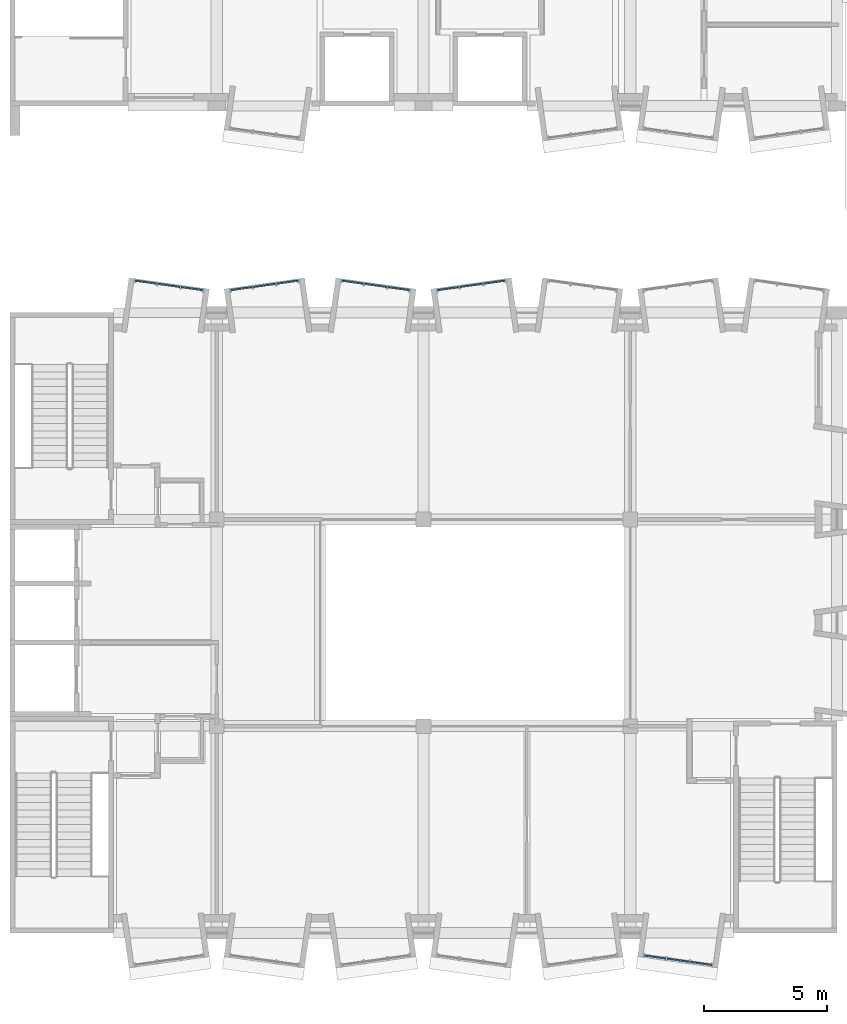
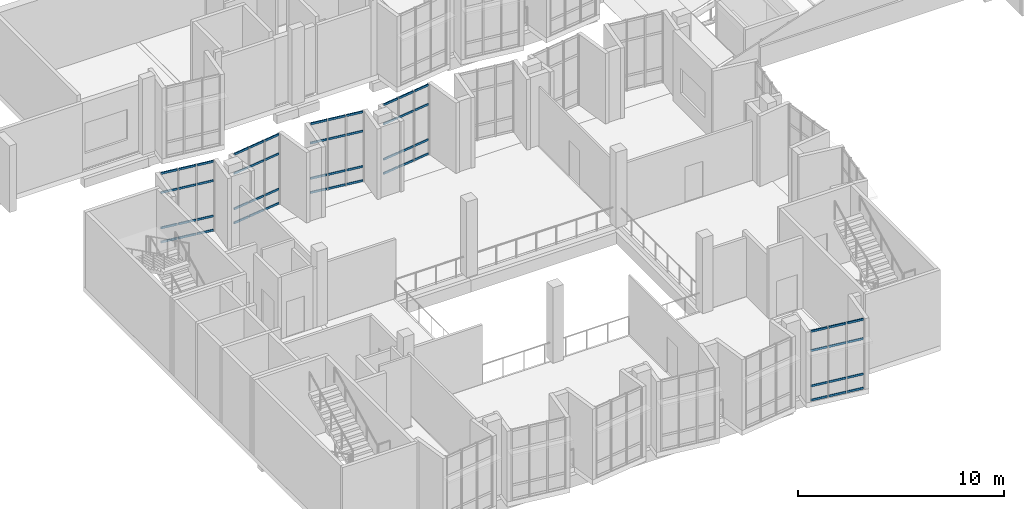
# One storey, part 57 of 95: 60 members, 5 elements without a shape of their own.
"""IFC4 building model written with IfcOpenShell, lengths in metres."""

from ifc_helpers import new_model, si_unit, direction, frame, origin, origin_2d, place, context, subcontext, project, spatial, rectangle, extrude, material, layer, layer_set, material_profile, profile_set, type_object, element, aggregate, save


model = new_model("IFC4")

# Units and contexts
model_context = context("Model", 3, precision=1e-05, world=origin(), true_north=direction((0.0, 1.0)))
body_context = subcontext(model_context, "Body", "Model", "MODEL_VIEW")
ifc_project = project(units=[si_unit("LENGTHUNIT", "METRE"), si_unit("AREAUNIT", "SQUARE_METRE"), si_unit("VOLUMEUNIT", "CUBIC_METRE"), si_unit("PLANEANGLEUNIT", "RADIAN"), si_unit("MASSUNIT", "GRAM", prefix="KILO")], contexts=[model_context])

# Site, building, storey
site_placement = place(None, origin())
site = spatial("IfcSite", under=ifc_project, at=site_placement, CompositionType="ELEMENT")
building_placement = place(site_placement, origin())
building = spatial("IfcBuilding", under=site, at=building_placement, Name="Kiln Court Media Centre", CompositionType="ELEMENT")
storey_placement = place(building_placement, frame((0.0, 0.0, 24.60009765625)))
storey = spatial("IfcBuildingStorey", under=building, at=storey_placement, Name="L05", CompositionType="ELEMENT", Elevation=24.60009765625)

# Curtain wall, members
ifc_material_1 = material(Name="Aluminium 6063-T6", Category="aluminium")
ifc_layer = layer(ifc_material_1, 0.1201171875)
ifc_layer_set = layer_set([ifc_layer], Name="Aluminium unitised bay curtain wall")
curtain_wall_type = type_object("IfcCurtainWallType", Name="Aluminium unitised bay curtain wall", PredefinedType="USERDEFINED", material=ifc_layer_set)
curtain_wall_1_placement = place(storey_placement, origin())
curtain_wall_1 = element("IfcCurtainWall", 1, at=curtain_wall_1_placement, inside=storey, type_object=curtain_wall_type, Name="BAY V6A-N-L05-30 front", ObjectType="UNITISED CURTAIN WALL", PredefinedType="USERDEFINED")
ifc_material_2 = material(Name="Aluminium 6063-T6", Category="aluminium")
ifc_material_profile = material_profile(ifc_material_2, rectangle(XDim=0.06005859375, YDim=0.1201171875, at=origin_2d()), Name="Aluminium transom 60x120")
ifc_profile_set = profile_set([ifc_material_profile], Name="Aluminium 6063-T6")
member_type = type_object("IfcMemberType", Name="Aluminium transom 60x120", PredefinedType="USERDEFINED", material=ifc_profile_set)
member_1_placement = place(storey_placement, frame((5.09423828125, 26.50048828125, 0.059814453125), z_axis=(0.990268108888, -0.139172815303, 0.0), x_axis=(0.139172815303, 0.990268108888, 0.0)))
member_1 = element("IfcMember", 2, at=member_1_placement, type_object=member_type, Name="CW5-08 transom 1.1", ObjectType="TRANSOM", PredefinedType="USERDEFINED", context=body_context, shape_type="SweptSolid", body=[
    extrude(rectangle(XDim=0.06005859375, YDim=0.1201171875, at=origin_2d()), origin(), (0.0, 0.0, 1.0), 0.86669921875),
])
member_2_placement = place(storey_placement, frame((5.09423828125, 26.50048828125, 0.89990234375), z_axis=(0.990268108888, -0.139172815303, 0.0), x_axis=(0.139172815303, 0.990268108888, 0.0)))
member_2 = element("IfcMember", 3, at=member_2_placement, type_object=member_type, Name="CW5-08 transom 1.2", ObjectType="TRANSOM", PredefinedType="USERDEFINED", context=body_context, shape_type="SweptSolid", body=[
    extrude(rectangle(XDim=0.06005859375, YDim=0.1201171875, at=origin_2d()), origin(), (0.0, 0.0, 1.0), 0.86669921875),
])
member_3_placement = place(storey_placement, frame((5.09423828125, 26.50048828125, 3.0), z_axis=(0.990268108888, -0.139172815303, 0.0), x_axis=(0.139172815303, 0.990268108888, 0.0)))
member_3 = element("IfcMember", 4, at=member_3_placement, type_object=member_type, Name="CW5-08 transom 1.3", ObjectType="TRANSOM", PredefinedType="USERDEFINED", context=body_context, shape_type="SweptSolid", body=[
    extrude(rectangle(XDim=0.06005859375, YDim=0.1201171875, at=origin_2d()), origin(), (0.0, 0.0, 1.0), 0.86669921875),
])
member_4_placement = place(storey_placement, frame((5.09423828125, 26.50048828125, 4.139892578125), z_axis=(0.990268108888, -0.139172815303, 0.0), x_axis=(0.139172815303, 0.990268108888, 0.0)))
member_4 = element("IfcMember", 5, at=member_4_placement, type_object=member_type, Name="CW5-08 transom 1.4", ObjectType="TRANSOM", PredefinedType="USERDEFINED", context=body_context, shape_type="SweptSolid", body=[
    extrude(rectangle(XDim=0.06005859375, YDim=0.1201171875, at=origin_2d()), origin(), (0.0, 0.0, 1.0), 0.86669921875),
])
member_5_placement = place(storey_placement, frame((6.011962890625, 26.37158203125, 0.059814453125), z_axis=(0.990273584723, -0.13913384707, 0.0), x_axis=(0.13913384707, 0.990273584723, 0.0)))
member_5 = element("IfcMember", 6, at=member_5_placement, type_object=member_type, Name="CW5-08 transom 2.1", ObjectType="TRANSOM", PredefinedType="USERDEFINED", context=body_context, shape_type="SweptSolid", body=[
    extrude(rectangle(XDim=0.06005859375, YDim=0.1201171875, at=origin_2d()), origin(), (0.0, 0.0, 1.0), 0.896728515625),
])
member_6_placement = place(storey_placement, frame((6.011962890625, 26.37158203125, 0.89990234375), z_axis=(0.990273584723, -0.13913384707, 0.0), x_axis=(0.13913384707, 0.990273584723, 0.0)))
member_6 = element("IfcMember", 7, at=member_6_placement, type_object=member_type, Name="CW5-08 transom 2.2", ObjectType="TRANSOM", PredefinedType="USERDEFINED", context=body_context, shape_type="SweptSolid", body=[
    extrude(rectangle(XDim=0.06005859375, YDim=0.1201171875, at=origin_2d()), origin(), (0.0, 0.0, 1.0), 0.896728515625),
])
member_7_placement = place(storey_placement, frame((6.011962890625, 26.37158203125, 3.0), z_axis=(0.990273584723, -0.13913384707, 0.0), x_axis=(0.13913384707, 0.990273584723, 0.0)))
member_7 = element("IfcMember", 8, at=member_7_placement, type_object=member_type, Name="CW5-08 transom 2.3", ObjectType="TRANSOM", PredefinedType="USERDEFINED", context=body_context, shape_type="SweptSolid", body=[
    extrude(rectangle(XDim=0.06005859375, YDim=0.1201171875, at=origin_2d()), origin(), (0.0, 0.0, 1.0), 0.896728515625),
])
member_8_placement = place(storey_placement, frame((6.011962890625, 26.37158203125, 4.139892578125), z_axis=(0.990273584723, -0.13913384707, 0.0), x_axis=(0.13913384707, 0.990273584723, 0.0)))
member_8 = element("IfcMember", 9, at=member_8_placement, type_object=member_type, Name="CW5-08 transom 2.4", ObjectType="TRANSOM", PredefinedType="USERDEFINED", context=body_context, shape_type="SweptSolid", body=[
    extrude(rectangle(XDim=0.06005859375, YDim=0.1201171875, at=origin_2d()), origin(), (0.0, 0.0, 1.0), 0.896728515625),
])
member_9_placement = place(storey_placement, frame((6.959228515625, 26.23828125, 0.059814453125), z_axis=(0.990268108888, -0.139172815303, 0.0), x_axis=(0.139172815303, 0.990268108888, 0.0)))
member_9 = element("IfcMember", 10, at=member_9_placement, type_object=member_type, Name="CW5-08 transom 3.1", ObjectType="TRANSOM", PredefinedType="USERDEFINED", context=body_context, shape_type="SweptSolid", body=[
    extrude(rectangle(XDim=0.06005859375, YDim=0.1201171875, at=origin_2d()), origin(), (0.0, 0.0, 1.0), 0.86669921875),
])
member_10_placement = place(storey_placement, frame((6.959228515625, 26.23828125, 0.89990234375), z_axis=(0.990268108888, -0.139172815303, 0.0), x_axis=(0.139172815303, 0.990268108888, 0.0)))
member_10 = element("IfcMember", 11, at=member_10_placement, type_object=member_type, Name="CW5-08 transom 3.2", ObjectType="TRANSOM", PredefinedType="USERDEFINED", context=body_context, shape_type="SweptSolid", body=[
    extrude(rectangle(XDim=0.06005859375, YDim=0.1201171875, at=origin_2d()), origin(), (0.0, 0.0, 1.0), 0.86669921875),
])
member_11_placement = place(storey_placement, frame((6.959228515625, 26.23828125, 3.0), z_axis=(0.990268108888, -0.139172815303, 0.0), x_axis=(0.139172815303, 0.990268108888, 0.0)))
member_11 = element("IfcMember", 12, at=member_11_placement, type_object=member_type, Name="CW5-08 transom 3.3", ObjectType="TRANSOM", PredefinedType="USERDEFINED", context=body_context, shape_type="SweptSolid", body=[
    extrude(rectangle(XDim=0.06005859375, YDim=0.1201171875, at=origin_2d()), origin(), (0.0, 0.0, 1.0), 0.86669921875),
])
member_12_placement = place(storey_placement, frame((6.959228515625, 26.23828125, 4.139892578125), z_axis=(0.990268108888, -0.139172815303, 0.0), x_axis=(0.139172815303, 0.990268108888, 0.0)))
member_12 = element("IfcMember", 13, at=member_12_placement, type_object=member_type, Name="CW5-08 transom 3.4", ObjectType="TRANSOM", PredefinedType="USERDEFINED", context=body_context, shape_type="SweptSolid", body=[
    extrude(rectangle(XDim=0.06005859375, YDim=0.1201171875, at=origin_2d()), origin(), (0.0, 0.0, 1.0), 0.86669921875),
])
aggregate(curtain_wall_1, [member_1, member_2, member_3, member_4, member_5, member_6, member_7, member_8, member_9, member_10, member_11, member_12])

curtain_wall_2_placement = place(storey_placement, origin())
curtain_wall_2 = element("IfcCurtainWall", 14, at=curtain_wall_2_placement, inside=storey, type_object=curtain_wall_type, Name="BAY V6A-N-L05-31 front", ObjectType="UNITISED CURTAIN WALL", PredefinedType="USERDEFINED")
member_13_placement = place(storey_placement, frame((8.982421875, 26.11767578125, 0.059814453125), z_axis=(0.990273563383, 0.139133998951, 0.0), x_axis=(-0.139133998951, 0.990273563383, 0.0)))
member_13 = element("IfcMember", 15, at=member_13_placement, type_object=member_type, Name="CW5-09 transom 1.1", ObjectType="TRANSOM", PredefinedType="USERDEFINED", context=body_context, shape_type="SweptSolid", body=[
    extrude(rectangle(XDim=0.06005859375, YDim=0.1201171875, at=origin_2d()), origin(), (0.0, 0.0, 1.0), 0.866943359375),
])
member_14_placement = place(storey_placement, frame((8.982421875, 26.11767578125, 0.89990234375), z_axis=(0.990273563383, 0.139133998951, 0.0), x_axis=(-0.139133998951, 0.990273563383, 0.0)))
member_14 = element("IfcMember", 16, at=member_14_placement, type_object=member_type, Name="CW5-09 transom 1.2", ObjectType="TRANSOM", PredefinedType="USERDEFINED", context=body_context, shape_type="SweptSolid", body=[
    extrude(rectangle(XDim=0.06005859375, YDim=0.1201171875, at=origin_2d()), origin(), (0.0, 0.0, 1.0), 0.866943359375),
])
member_15_placement = place(storey_placement, frame((8.982421875, 26.11767578125, 3.0), z_axis=(0.990273563383, 0.139133998951, 0.0), x_axis=(-0.139133998951, 0.990273563383, 0.0)))
member_15 = element("IfcMember", 17, at=member_15_placement, type_object=member_type, Name="CW5-09 transom 1.3", ObjectType="TRANSOM", PredefinedType="USERDEFINED", context=body_context, shape_type="SweptSolid", body=[
    extrude(rectangle(XDim=0.06005859375, YDim=0.1201171875, at=origin_2d()), origin(), (0.0, 0.0, 1.0), 0.866943359375),
])
member_16_placement = place(storey_placement, frame((8.982421875, 26.11767578125, 4.139892578125), z_axis=(0.990273563383, 0.139133998951, 0.0), x_axis=(-0.139133998951, 0.990273563383, 0.0)))
member_16 = element("IfcMember", 18, at=member_16_placement, type_object=member_type, Name="CW5-09 transom 1.4", ObjectType="TRANSOM", PredefinedType="USERDEFINED", context=body_context, shape_type="SweptSolid", body=[
    extrude(rectangle(XDim=0.06005859375, YDim=0.1201171875, at=origin_2d()), origin(), (0.0, 0.0, 1.0), 0.866943359375),
])
member_17_placement = place(storey_placement, frame((9.900146484375, 26.246826171875, 0.059814453125), z_axis=(0.990273584723, 0.13913384707, 0.0), x_axis=(-0.13913384707, 0.990273584723, 0.0)))
member_17 = element("IfcMember", 19, at=member_17_placement, type_object=member_type, Name="CW5-09 transom 2.1", ObjectType="TRANSOM", PredefinedType="USERDEFINED", context=body_context, shape_type="SweptSolid", body=[
    extrude(rectangle(XDim=0.06005859375, YDim=0.1201171875, at=origin_2d()), origin(), (0.0, 0.0, 1.0), 0.896728515625),
])
member_18_placement = place(storey_placement, frame((9.900146484375, 26.246826171875, 0.89990234375), z_axis=(0.990273584723, 0.13913384707, 0.0), x_axis=(-0.13913384707, 0.990273584723, 0.0)))
member_18 = element("IfcMember", 20, at=member_18_placement, type_object=member_type, Name="CW5-09 transom 2.2", ObjectType="TRANSOM", PredefinedType="USERDEFINED", context=body_context, shape_type="SweptSolid", body=[
    extrude(rectangle(XDim=0.06005859375, YDim=0.1201171875, at=origin_2d()), origin(), (0.0, 0.0, 1.0), 0.896728515625),
])
member_19_placement = place(storey_placement, frame((9.900146484375, 26.246826171875, 3.0), z_axis=(0.990273584723, 0.13913384707, 0.0), x_axis=(-0.13913384707, 0.990273584723, 0.0)))
member_19 = element("IfcMember", 21, at=member_19_placement, type_object=member_type, Name="CW5-09 transom 2.3", ObjectType="TRANSOM", PredefinedType="USERDEFINED", context=body_context, shape_type="SweptSolid", body=[
    extrude(rectangle(XDim=0.06005859375, YDim=0.1201171875, at=origin_2d()), origin(), (0.0, 0.0, 1.0), 0.896728515625),
])
member_20_placement = place(storey_placement, frame((9.900146484375, 26.246826171875, 4.139892578125), z_axis=(0.990273584723, 0.13913384707, 0.0), x_axis=(-0.13913384707, 0.990273584723, 0.0)))
member_20 = element("IfcMember", 22, at=member_20_placement, type_object=member_type, Name="CW5-09 transom 2.4", ObjectType="TRANSOM", PredefinedType="USERDEFINED", context=body_context, shape_type="SweptSolid", body=[
    extrude(rectangle(XDim=0.06005859375, YDim=0.1201171875, at=origin_2d()), origin(), (0.0, 0.0, 1.0), 0.896728515625),
])
member_21_placement = place(storey_placement, frame((10.84765625, 26.3798828125, 0.059814453125), z_axis=(0.990268108888, 0.139172815303, 0.0), x_axis=(-0.139172815303, 0.990268108888, 0.0)))
member_21 = element("IfcMember", 23, at=member_21_placement, type_object=member_type, Name="CW5-09 transom 3.1", ObjectType="TRANSOM", PredefinedType="USERDEFINED", context=body_context, shape_type="SweptSolid", body=[
    extrude(rectangle(XDim=0.06005859375, YDim=0.1201171875, at=origin_2d()), origin(), (0.0, 0.0, 1.0), 0.86669921875),
])
member_22_placement = place(storey_placement, frame((10.84765625, 26.3798828125, 0.89990234375), z_axis=(0.990268108888, 0.139172815303, 0.0), x_axis=(-0.139172815303, 0.990268108888, 0.0)))
member_22 = element("IfcMember", 24, at=member_22_placement, type_object=member_type, Name="CW5-09 transom 3.2", ObjectType="TRANSOM", PredefinedType="USERDEFINED", context=body_context, shape_type="SweptSolid", body=[
    extrude(rectangle(XDim=0.06005859375, YDim=0.1201171875, at=origin_2d()), origin(), (0.0, 0.0, 1.0), 0.86669921875),
])
member_23_placement = place(storey_placement, frame((10.84765625, 26.3798828125, 3.0), z_axis=(0.990268108888, 0.139172815303, 0.0), x_axis=(-0.139172815303, 0.990268108888, 0.0)))
member_23 = element("IfcMember", 25, at=member_23_placement, type_object=member_type, Name="CW5-09 transom 3.3", ObjectType="TRANSOM", PredefinedType="USERDEFINED", context=body_context, shape_type="SweptSolid", body=[
    extrude(rectangle(XDim=0.06005859375, YDim=0.1201171875, at=origin_2d()), origin(), (0.0, 0.0, 1.0), 0.86669921875),
])
member_24_placement = place(storey_placement, frame((10.84765625, 26.3798828125, 4.139892578125), z_axis=(0.990268108888, 0.139172815303, 0.0), x_axis=(-0.139172815303, 0.990268108888, 0.0)))
member_24 = element("IfcMember", 26, at=member_24_placement, type_object=member_type, Name="CW5-09 transom 3.4", ObjectType="TRANSOM", PredefinedType="USERDEFINED", context=body_context, shape_type="SweptSolid", body=[
    extrude(rectangle(XDim=0.06005859375, YDim=0.1201171875, at=origin_2d()), origin(), (0.0, 0.0, 1.0), 0.86669921875),
])
aggregate(curtain_wall_2, [member_13, member_14, member_15, member_16, member_17, member_18, member_19, member_20, member_21, member_22, member_23, member_24])

curtain_wall_3_placement = place(storey_placement, origin())
curtain_wall_3 = element("IfcCurtainWall", 27, at=curtain_wall_3_placement, inside=storey, type_object=curtain_wall_type, Name="BAY V6A-N-L05-32 front", ObjectType="UNITISED CURTAIN WALL", PredefinedType="USERDEFINED")
member_25_placement = place(storey_placement, frame((13.494140625, 26.50048828125, 0.059814453125), z_axis=(0.990273563383, -0.139133998951, 0.0), x_axis=(0.139133998951, 0.990273563383, 0.0)))
member_25 = element("IfcMember", 28, at=member_25_placement, type_object=member_type, Name="CW5-10 transom 1.1", ObjectType="TRANSOM", PredefinedType="USERDEFINED", context=body_context, shape_type="SweptSolid", body=[
    extrude(rectangle(XDim=0.06005859375, YDim=0.1201171875, at=origin_2d()), origin(), (0.0, 0.0, 1.0), 0.866943359375),
])
member_26_placement = place(storey_placement, frame((13.494140625, 26.50048828125, 0.89990234375), z_axis=(0.990273563383, -0.139133998951, 0.0), x_axis=(0.139133998951, 0.990273563383, 0.0)))
member_26 = element("IfcMember", 29, at=member_26_placement, type_object=member_type, Name="CW5-10 transom 1.2", ObjectType="TRANSOM", PredefinedType="USERDEFINED", context=body_context, shape_type="SweptSolid", body=[
    extrude(rectangle(XDim=0.06005859375, YDim=0.1201171875, at=origin_2d()), origin(), (0.0, 0.0, 1.0), 0.866943359375),
])
member_27_placement = place(storey_placement, frame((13.494140625, 26.50048828125, 3.0), z_axis=(0.990273563383, -0.139133998951, 0.0), x_axis=(0.139133998951, 0.990273563383, 0.0)))
member_27 = element("IfcMember", 30, at=member_27_placement, type_object=member_type, Name="CW5-10 transom 1.3", ObjectType="TRANSOM", PredefinedType="USERDEFINED", context=body_context, shape_type="SweptSolid", body=[
    extrude(rectangle(XDim=0.06005859375, YDim=0.1201171875, at=origin_2d()), origin(), (0.0, 0.0, 1.0), 0.866943359375),
])
member_28_placement = place(storey_placement, frame((13.494140625, 26.50048828125, 4.139892578125), z_axis=(0.990273563383, -0.139133998951, 0.0), x_axis=(0.139133998951, 0.990273563383, 0.0)))
member_28 = element("IfcMember", 31, at=member_28_placement, type_object=member_type, Name="CW5-10 transom 1.4", ObjectType="TRANSOM", PredefinedType="USERDEFINED", context=body_context, shape_type="SweptSolid", body=[
    extrude(rectangle(XDim=0.06005859375, YDim=0.1201171875, at=origin_2d()), origin(), (0.0, 0.0, 1.0), 0.866943359375),
])
member_29_placement = place(storey_placement, frame((14.411865234375, 26.37158203125, 0.059814453125), z_axis=(0.990273584723, -0.13913384707, 0.0), x_axis=(0.13913384707, 0.990273584723, 0.0)))
member_29 = element("IfcMember", 32, at=member_29_placement, type_object=member_type, Name="CW5-10 transom 2.1", ObjectType="TRANSOM", PredefinedType="USERDEFINED", context=body_context, shape_type="SweptSolid", body=[
    extrude(rectangle(XDim=0.06005859375, YDim=0.1201171875, at=origin_2d()), origin(), (0.0, 0.0, 1.0), 0.896728515625),
])
member_30_placement = place(storey_placement, frame((14.411865234375, 26.37158203125, 0.89990234375), z_axis=(0.990273584723, -0.13913384707, 0.0), x_axis=(0.13913384707, 0.990273584723, 0.0)))
member_30 = element("IfcMember", 33, at=member_30_placement, type_object=member_type, Name="CW5-10 transom 2.2", ObjectType="TRANSOM", PredefinedType="USERDEFINED", context=body_context, shape_type="SweptSolid", body=[
    extrude(rectangle(XDim=0.06005859375, YDim=0.1201171875, at=origin_2d()), origin(), (0.0, 0.0, 1.0), 0.896728515625),
])
member_31_placement = place(storey_placement, frame((14.411865234375, 26.37158203125, 3.0), z_axis=(0.990273584723, -0.13913384707, 0.0), x_axis=(0.13913384707, 0.990273584723, 0.0)))
member_31 = element("IfcMember", 34, at=member_31_placement, type_object=member_type, Name="CW5-10 transom 2.3", ObjectType="TRANSOM", PredefinedType="USERDEFINED", context=body_context, shape_type="SweptSolid", body=[
    extrude(rectangle(XDim=0.06005859375, YDim=0.1201171875, at=origin_2d()), origin(), (0.0, 0.0, 1.0), 0.896728515625),
])
member_32_placement = place(storey_placement, frame((14.411865234375, 26.37158203125, 4.139892578125), z_axis=(0.990273584723, -0.13913384707, 0.0), x_axis=(0.13913384707, 0.990273584723, 0.0)))
member_32 = element("IfcMember", 35, at=member_32_placement, type_object=member_type, Name="CW5-10 transom 2.4", ObjectType="TRANSOM", PredefinedType="USERDEFINED", context=body_context, shape_type="SweptSolid", body=[
    extrude(rectangle(XDim=0.06005859375, YDim=0.1201171875, at=origin_2d()), origin(), (0.0, 0.0, 1.0), 0.896728515625),
])
member_33_placement = place(storey_placement, frame((15.359130859375, 26.23828125, 0.059814453125), z_axis=(0.990273563383, -0.139133998951, 0.0), x_axis=(0.139133998951, 0.990273563383, 0.0)))
member_33 = element("IfcMember", 36, at=member_33_placement, type_object=member_type, Name="CW5-10 transom 3.1", ObjectType="TRANSOM", PredefinedType="USERDEFINED", context=body_context, shape_type="SweptSolid", body=[
    extrude(rectangle(XDim=0.06005859375, YDim=0.1201171875, at=origin_2d()), origin(), (0.0, 0.0, 1.0), 0.866943359375),
])
member_34_placement = place(storey_placement, frame((15.359130859375, 26.23828125, 0.89990234375), z_axis=(0.990273563383, -0.139133998951, 0.0), x_axis=(0.139133998951, 0.990273563383, 0.0)))
member_34 = element("IfcMember", 37, at=member_34_placement, type_object=member_type, Name="CW5-10 transom 3.2", ObjectType="TRANSOM", PredefinedType="USERDEFINED", context=body_context, shape_type="SweptSolid", body=[
    extrude(rectangle(XDim=0.06005859375, YDim=0.1201171875, at=origin_2d()), origin(), (0.0, 0.0, 1.0), 0.866943359375),
])
member_35_placement = place(storey_placement, frame((15.359130859375, 26.23828125, 3.0), z_axis=(0.990273563383, -0.139133998951, 0.0), x_axis=(0.139133998951, 0.990273563383, 0.0)))
member_35 = element("IfcMember", 38, at=member_35_placement, type_object=member_type, Name="CW5-10 transom 3.3", ObjectType="TRANSOM", PredefinedType="USERDEFINED", context=body_context, shape_type="SweptSolid", body=[
    extrude(rectangle(XDim=0.06005859375, YDim=0.1201171875, at=origin_2d()), origin(), (0.0, 0.0, 1.0), 0.866943359375),
])
member_36_placement = place(storey_placement, frame((15.359130859375, 26.23828125, 4.139892578125), z_axis=(0.990273563383, -0.139133998951, 0.0), x_axis=(0.139133998951, 0.990273563383, 0.0)))
member_36 = element("IfcMember", 39, at=member_36_placement, type_object=member_type, Name="CW5-10 transom 3.4", ObjectType="TRANSOM", PredefinedType="USERDEFINED", context=body_context, shape_type="SweptSolid", body=[
    extrude(rectangle(XDim=0.06005859375, YDim=0.1201171875, at=origin_2d()), origin(), (0.0, 0.0, 1.0), 0.866943359375),
])
aggregate(curtain_wall_3, [member_25, member_26, member_27, member_28, member_29, member_30, member_31, member_32, member_33, member_34, member_35, member_36])

curtain_wall_4_placement = place(storey_placement, origin())
curtain_wall_4 = element("IfcCurtainWall", 40, at=curtain_wall_4_placement, inside=storey, type_object=curtain_wall_type, Name="BAY V6A-N-L05-33 front", ObjectType="UNITISED CURTAIN WALL", PredefinedType="USERDEFINED")
member_37_placement = place(storey_placement, frame((17.382568359375, 26.11767578125, 0.059814453125), z_axis=(0.990268108888, 0.139172815303, 0.0), x_axis=(-0.139172815303, 0.990268108888, 0.0)))
member_37 = element("IfcMember", 41, at=member_37_placement, type_object=member_type, Name="CW5-11 transom 1.1", ObjectType="TRANSOM", PredefinedType="USERDEFINED", context=body_context, shape_type="SweptSolid", body=[
    extrude(rectangle(XDim=0.06005859375, YDim=0.1201171875, at=origin_2d()), origin(), (0.0, 0.0, 1.0), 0.86669921875),
])
member_38_placement = place(storey_placement, frame((17.382568359375, 26.11767578125, 0.89990234375), z_axis=(0.990268108888, 0.139172815303, 0.0), x_axis=(-0.139172815303, 0.990268108888, 0.0)))
member_38 = element("IfcMember", 42, at=member_38_placement, type_object=member_type, Name="CW5-11 transom 1.2", ObjectType="TRANSOM", PredefinedType="USERDEFINED", context=body_context, shape_type="SweptSolid", body=[
    extrude(rectangle(XDim=0.06005859375, YDim=0.1201171875, at=origin_2d()), origin(), (0.0, 0.0, 1.0), 0.86669921875),
])
member_39_placement = place(storey_placement, frame((17.382568359375, 26.11767578125, 3.0), z_axis=(0.990268108888, 0.139172815303, 0.0), x_axis=(-0.139172815303, 0.990268108888, 0.0)))
member_39 = element("IfcMember", 43, at=member_39_placement, type_object=member_type, Name="CW5-11 transom 1.3", ObjectType="TRANSOM", PredefinedType="USERDEFINED", context=body_context, shape_type="SweptSolid", body=[
    extrude(rectangle(XDim=0.06005859375, YDim=0.1201171875, at=origin_2d()), origin(), (0.0, 0.0, 1.0), 0.86669921875),
])
member_40_placement = place(storey_placement, frame((17.382568359375, 26.11767578125, 4.139892578125), z_axis=(0.990268108888, 0.139172815303, 0.0), x_axis=(-0.139172815303, 0.990268108888, 0.0)))
member_40 = element("IfcMember", 44, at=member_40_placement, type_object=member_type, Name="CW5-11 transom 1.4", ObjectType="TRANSOM", PredefinedType="USERDEFINED", context=body_context, shape_type="SweptSolid", body=[
    extrude(rectangle(XDim=0.06005859375, YDim=0.1201171875, at=origin_2d()), origin(), (0.0, 0.0, 1.0), 0.86669921875),
])
member_41_placement = place(storey_placement, frame((18.30029296875, 26.246826171875, 0.059814453125), z_axis=(0.990273584723, 0.13913384707, 0.0), x_axis=(-0.13913384707, 0.990273584723, 0.0)))
member_41 = element("IfcMember", 45, at=member_41_placement, type_object=member_type, Name="CW5-11 transom 2.1", ObjectType="TRANSOM", PredefinedType="USERDEFINED", context=body_context, shape_type="SweptSolid", body=[
    extrude(rectangle(XDim=0.06005859375, YDim=0.1201171875, at=origin_2d()), origin(), (0.0, 0.0, 1.0), 0.896728515625),
])
member_42_placement = place(storey_placement, frame((18.30029296875, 26.246826171875, 0.89990234375), z_axis=(0.990273584723, 0.13913384707, 0.0), x_axis=(-0.13913384707, 0.990273584723, 0.0)))
member_42 = element("IfcMember", 46, at=member_42_placement, type_object=member_type, Name="CW5-11 transom 2.2", ObjectType="TRANSOM", PredefinedType="USERDEFINED", context=body_context, shape_type="SweptSolid", body=[
    extrude(rectangle(XDim=0.06005859375, YDim=0.1201171875, at=origin_2d()), origin(), (0.0, 0.0, 1.0), 0.896728515625),
])
member_43_placement = place(storey_placement, frame((18.30029296875, 26.246826171875, 3.0), z_axis=(0.990273584723, 0.13913384707, 0.0), x_axis=(-0.13913384707, 0.990273584723, 0.0)))
member_43 = element("IfcMember", 47, at=member_43_placement, type_object=member_type, Name="CW5-11 transom 2.3", ObjectType="TRANSOM", PredefinedType="USERDEFINED", context=body_context, shape_type="SweptSolid", body=[
    extrude(rectangle(XDim=0.06005859375, YDim=0.1201171875, at=origin_2d()), origin(), (0.0, 0.0, 1.0), 0.896728515625),
])
member_44_placement = place(storey_placement, frame((18.30029296875, 26.246826171875, 4.139892578125), z_axis=(0.990273584723, 0.13913384707, 0.0), x_axis=(-0.13913384707, 0.990273584723, 0.0)))
member_44 = element("IfcMember", 48, at=member_44_placement, type_object=member_type, Name="CW5-11 transom 2.4", ObjectType="TRANSOM", PredefinedType="USERDEFINED", context=body_context, shape_type="SweptSolid", body=[
    extrude(rectangle(XDim=0.06005859375, YDim=0.1201171875, at=origin_2d()), origin(), (0.0, 0.0, 1.0), 0.896728515625),
])
member_45_placement = place(storey_placement, frame((19.24755859375, 26.3798828125, 0.059814453125), z_axis=(0.990268108888, 0.139172815303, 0.0), x_axis=(-0.139172815303, 0.990268108888, 0.0)))
member_45 = element("IfcMember", 49, at=member_45_placement, type_object=member_type, Name="CW5-11 transom 3.1", ObjectType="TRANSOM", PredefinedType="USERDEFINED", context=body_context, shape_type="SweptSolid", body=[
    extrude(rectangle(XDim=0.06005859375, YDim=0.1201171875, at=origin_2d()), origin(), (0.0, 0.0, 1.0), 0.86669921875),
])
member_46_placement = place(storey_placement, frame((19.24755859375, 26.3798828125, 0.89990234375), z_axis=(0.990268108888, 0.139172815303, 0.0), x_axis=(-0.139172815303, 0.990268108888, 0.0)))
member_46 = element("IfcMember", 50, at=member_46_placement, type_object=member_type, Name="CW5-11 transom 3.2", ObjectType="TRANSOM", PredefinedType="USERDEFINED", context=body_context, shape_type="SweptSolid", body=[
    extrude(rectangle(XDim=0.06005859375, YDim=0.1201171875, at=origin_2d()), origin(), (0.0, 0.0, 1.0), 0.86669921875),
])
member_47_placement = place(storey_placement, frame((19.24755859375, 26.3798828125, 3.0), z_axis=(0.990268108888, 0.139172815303, 0.0), x_axis=(-0.139172815303, 0.990268108888, 0.0)))
member_47 = element("IfcMember", 51, at=member_47_placement, type_object=member_type, Name="CW5-11 transom 3.3", ObjectType="TRANSOM", PredefinedType="USERDEFINED", context=body_context, shape_type="SweptSolid", body=[
    extrude(rectangle(XDim=0.06005859375, YDim=0.1201171875, at=origin_2d()), origin(), (0.0, 0.0, 1.0), 0.86669921875),
])
member_48_placement = place(storey_placement, frame((19.24755859375, 26.3798828125, 4.139892578125), z_axis=(0.990268108888, 0.139172815303, 0.0), x_axis=(-0.139172815303, 0.990268108888, 0.0)))
member_48 = element("IfcMember", 52, at=member_48_placement, type_object=member_type, Name="CW5-11 transom 3.4", ObjectType="TRANSOM", PredefinedType="USERDEFINED", context=body_context, shape_type="SweptSolid", body=[
    extrude(rectangle(XDim=0.06005859375, YDim=0.1201171875, at=origin_2d()), origin(), (0.0, 0.0, 1.0), 0.86669921875),
])
aggregate(curtain_wall_4, [member_37, member_38, member_39, member_40, member_41, member_42, member_43, member_44, member_45, member_46, member_47, member_48])

curtain_wall_5_placement = place(storey_placement, origin())
curtain_wall_5 = element("IfcCurtainWall", 53, at=curtain_wall_5_placement, inside=storey, type_object=curtain_wall_type, Name="BAY V6A-S-L05-37 front", ObjectType="UNITISED CURTAIN WALL", PredefinedType="USERDEFINED")
member_49_placement = place(storey_placement, frame((25.782470703125, -0.917724609375, 0.059814453125), z_axis=(0.990273563383, -0.139133998951, 0.0), x_axis=(0.139133998951, 0.990273563383, 0.0)))
member_49 = element("IfcMember", 54, at=member_49_placement, type_object=member_type, Name="CW5-20 transom 1.1", ObjectType="TRANSOM", PredefinedType="USERDEFINED", context=body_context, shape_type="SweptSolid", body=[
    extrude(rectangle(XDim=0.06005859375, YDim=0.1201171875, at=origin_2d()), origin(), (0.0, 0.0, 1.0), 0.866943359375),
])
member_50_placement = place(storey_placement, frame((25.782470703125, -0.917724609375, 0.89990234375), z_axis=(0.990273563383, -0.139133998951, 0.0), x_axis=(0.139133998951, 0.990273563383, 0.0)))
member_50 = element("IfcMember", 55, at=member_50_placement, type_object=member_type, Name="CW5-20 transom 1.2", ObjectType="TRANSOM", PredefinedType="USERDEFINED", context=body_context, shape_type="SweptSolid", body=[
    extrude(rectangle(XDim=0.06005859375, YDim=0.1201171875, at=origin_2d()), origin(), (0.0, 0.0, 1.0), 0.866943359375),
])
member_51_placement = place(storey_placement, frame((25.782470703125, -0.917724609375, 3.0), z_axis=(0.990273563383, -0.139133998951, 0.0), x_axis=(0.139133998951, 0.990273563383, 0.0)))
member_51 = element("IfcMember", 56, at=member_51_placement, type_object=member_type, Name="CW5-20 transom 1.3", ObjectType="TRANSOM", PredefinedType="USERDEFINED", context=body_context, shape_type="SweptSolid", body=[
    extrude(rectangle(XDim=0.06005859375, YDim=0.1201171875, at=origin_2d()), origin(), (0.0, 0.0, 1.0), 0.866943359375),
])
member_52_placement = place(storey_placement, frame((25.782470703125, -0.917724609375, 4.139892578125), z_axis=(0.990273563383, -0.139133998951, 0.0), x_axis=(0.139133998951, 0.990273563383, 0.0)))
member_52 = element("IfcMember", 57, at=member_52_placement, type_object=member_type, Name="CW5-20 transom 1.4", ObjectType="TRANSOM", PredefinedType="USERDEFINED", context=body_context, shape_type="SweptSolid", body=[
    extrude(rectangle(XDim=0.06005859375, YDim=0.1201171875, at=origin_2d()), origin(), (0.0, 0.0, 1.0), 0.866943359375),
])
member_53_placement = place(storey_placement, frame((26.7001953125, -1.046630859375, 0.059814453125), z_axis=(0.990273584723, -0.13913384707, 0.0), x_axis=(0.13913384707, 0.990273584723, 0.0)))
member_53 = element("IfcMember", 58, at=member_53_placement, type_object=member_type, Name="CW5-20 transom 2.1", ObjectType="TRANSOM", PredefinedType="USERDEFINED", context=body_context, shape_type="SweptSolid", body=[
    extrude(rectangle(XDim=0.06005859375, YDim=0.1201171875, at=origin_2d()), origin(), (0.0, 0.0, 1.0), 0.896728515625),
])
member_54_placement = place(storey_placement, frame((26.7001953125, -1.046630859375, 0.89990234375), z_axis=(0.990273584723, -0.13913384707, 0.0), x_axis=(0.13913384707, 0.990273584723, 0.0)))
member_54 = element("IfcMember", 59, at=member_54_placement, type_object=member_type, Name="CW5-20 transom 2.2", ObjectType="TRANSOM", PredefinedType="USERDEFINED", context=body_context, shape_type="SweptSolid", body=[
    extrude(rectangle(XDim=0.06005859375, YDim=0.1201171875, at=origin_2d()), origin(), (0.0, 0.0, 1.0), 0.896728515625),
])
member_55_placement = place(storey_placement, frame((26.7001953125, -1.046630859375, 3.0), z_axis=(0.990273584723, -0.13913384707, 0.0), x_axis=(0.13913384707, 0.990273584723, 0.0)))
member_55 = element("IfcMember", 60, at=member_55_placement, type_object=member_type, Name="CW5-20 transom 2.3", ObjectType="TRANSOM", PredefinedType="USERDEFINED", context=body_context, shape_type="SweptSolid", body=[
    extrude(rectangle(XDim=0.06005859375, YDim=0.1201171875, at=origin_2d()), origin(), (0.0, 0.0, 1.0), 0.896728515625),
])
member_56_placement = place(storey_placement, frame((26.7001953125, -1.046630859375, 4.139892578125), z_axis=(0.990273584723, -0.13913384707, 0.0), x_axis=(0.13913384707, 0.990273584723, 0.0)))
member_56 = element("IfcMember", 61, at=member_56_placement, type_object=member_type, Name="CW5-20 transom 2.4", ObjectType="TRANSOM", PredefinedType="USERDEFINED", context=body_context, shape_type="SweptSolid", body=[
    extrude(rectangle(XDim=0.06005859375, YDim=0.1201171875, at=origin_2d()), origin(), (0.0, 0.0, 1.0), 0.896728515625),
])
member_57_placement = place(storey_placement, frame((27.6474609375, -1.179931640625, 0.059814453125), z_axis=(0.990273563383, -0.139133998951, 0.0), x_axis=(0.139133998951, 0.990273563383, 0.0)))
member_57 = element("IfcMember", 62, at=member_57_placement, type_object=member_type, Name="CW5-20 transom 3.1", ObjectType="TRANSOM", PredefinedType="USERDEFINED", context=body_context, shape_type="SweptSolid", body=[
    extrude(rectangle(XDim=0.06005859375, YDim=0.1201171875, at=origin_2d()), origin(), (0.0, 0.0, 1.0), 0.866943359375),
])
member_58_placement = place(storey_placement, frame((27.6474609375, -1.179931640625, 0.89990234375), z_axis=(0.990273563383, -0.139133998951, 0.0), x_axis=(0.139133998951, 0.990273563383, 0.0)))
member_58 = element("IfcMember", 63, at=member_58_placement, type_object=member_type, Name="CW5-20 transom 3.2", ObjectType="TRANSOM", PredefinedType="USERDEFINED", context=body_context, shape_type="SweptSolid", body=[
    extrude(rectangle(XDim=0.06005859375, YDim=0.1201171875, at=origin_2d()), origin(), (0.0, 0.0, 1.0), 0.866943359375),
])
member_59_placement = place(storey_placement, frame((27.6474609375, -1.179931640625, 3.0), z_axis=(0.990273563383, -0.139133998951, 0.0), x_axis=(0.139133998951, 0.990273563383, 0.0)))
member_59 = element("IfcMember", 64, at=member_59_placement, type_object=member_type, Name="CW5-20 transom 3.3", ObjectType="TRANSOM", PredefinedType="USERDEFINED", context=body_context, shape_type="SweptSolid", body=[
    extrude(rectangle(XDim=0.06005859375, YDim=0.1201171875, at=origin_2d()), origin(), (0.0, 0.0, 1.0), 0.866943359375),
])
member_60_placement = place(storey_placement, frame((27.6474609375, -1.179931640625, 4.139892578125), z_axis=(0.990273563383, -0.139133998951, 0.0), x_axis=(0.139133998951, 0.990273563383, 0.0)))
member_60 = element("IfcMember", 65, at=member_60_placement, type_object=member_type, Name="CW5-20 transom 3.4", ObjectType="TRANSOM", PredefinedType="USERDEFINED", context=body_context, shape_type="SweptSolid", body=[
    extrude(rectangle(XDim=0.06005859375, YDim=0.1201171875, at=origin_2d()), origin(), (0.0, 0.0, 1.0), 0.866943359375),
])
aggregate(curtain_wall_5, [member_49, member_50, member_51, member_52, member_53, member_54, member_55, member_56, member_57, member_58, member_59, member_60])

save(model, "model.ifc")
